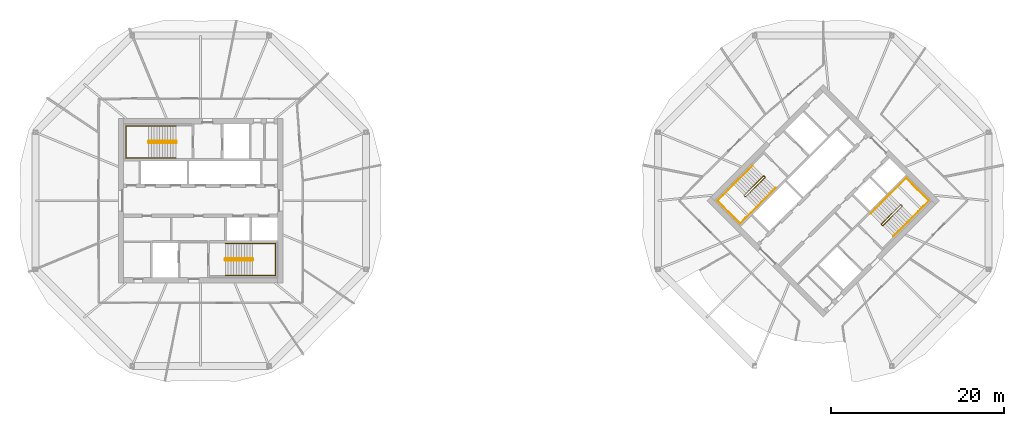
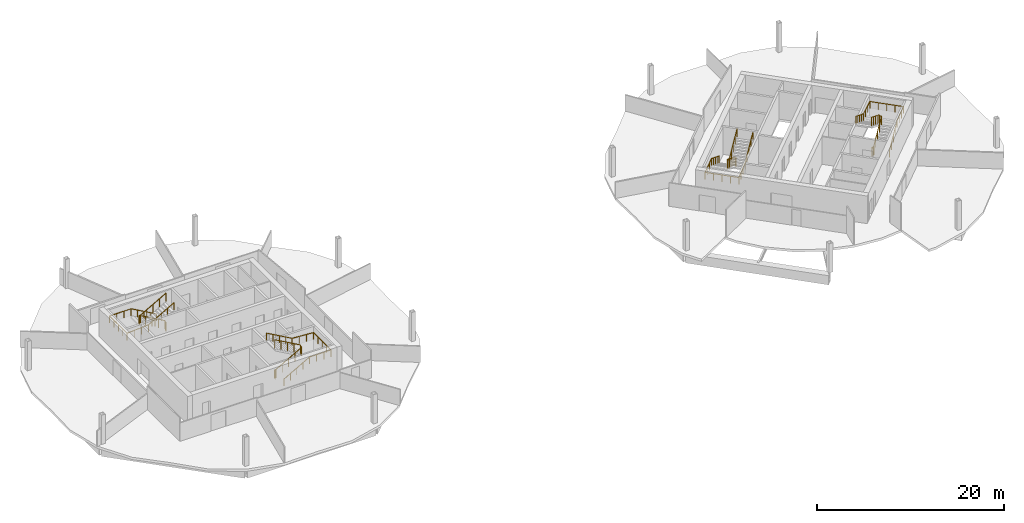
# One storey, part 10 of 10: 8 railings.
"""IFC4 building model written with IfcOpenShell, lengths in metres."""

from ifc_helpers import new_model, si_unit, direction, frame, origin, origin_2d, place, context, subcontext, project, spatial, circle, extrude, material, type_object, element, save


model = new_model("IFC4")

# Units and contexts
model_context = context("Model", 3, precision=1e-05, world=origin(), true_north=direction((0.0, 1.0)))
body_context = subcontext(model_context, "Body", "Model", "MODEL_VIEW")
ifc_project = project(units=[si_unit("LENGTHUNIT", "METRE"), si_unit("AREAUNIT", "SQUARE_METRE"), si_unit("VOLUMEUNIT", "CUBIC_METRE"), si_unit("PLANEANGLEUNIT", "RADIAN"), si_unit("MASSUNIT", "GRAM", prefix="KILO")], contexts=[model_context])

# Site, building, storey
site_placement = place(None, origin())
site = spatial("IfcSite", under=ifc_project, at=site_placement, CompositionType="ELEMENT")
building_placement = place(site_placement, origin())
building = spatial("IfcBuilding", under=site, at=building_placement, Name="Ogive Gate Towers", CompositionType="ELEMENT")
storey_placement = place(building_placement, frame((0.0, 0.0, 212.39990234375)))
storey = spatial("IfcBuildingStorey", under=building, at=storey_placement, Name="L51", CompositionType="ELEMENT", Elevation=212.39990234375)

# Railings
ifc_material = material(Name="Stainless steel", Category="steel")
railing_type_1 = type_object("IfcRailingType", Name="Stair guard 1100", PredefinedType="GUARDRAIL", material=ifc_material)
railing_1_placement = place(storey_placement, frame((-38.81494140625, 6.860107421875, 0.0)))
element("IfcRailing", 1, at=railing_1_placement, inside=storey, type_object=railing_type_1, Name="L51 ST1 stair guard 1", PredefinedType="GUARDRAIL", context=body_context, shape_type="SweptSolid", body=[
    extrude(circle(Radius=0.02392578125, at=origin_2d()), frame((0.0, 0.0, 1.076171875), z_axis=(0.0, -1.0, 0.0), x_axis=(1.0, 0.0, 0.0)), (0.0, 0.0, 1.0), 0.14501953125),
    extrude(circle(Radius=0.02392578125, at=origin_2d()), frame((0.0, -0.14501953125, 1.076171875), z_axis=(-0.186567429962, 0.726247849316, 0.661631812598), x_axis=(-0.968551454522, -0.24881334358, 0.0)), (0.0, 0.0, 1.0), 0.268310546875),
    extrude(circle(Radius=0.02392578125, at=origin_2d()), frame((-0.050048828125, 0.0498046875, 1.25341796875), z_axis=(-0.870572935281, 0.0, 0.492039393094), x_axis=(0.0, -1.0, 0.0)), (0.0, 0.0, 1.0), 3.602783203125),
    extrude(circle(Radius=0.02392578125, at=origin_2d()), frame((-3.1865234375, 0.0498046875, 3.0263671875), z_axis=(-0.707106781187, -0.707106781187, 0.0), x_axis=(0.707106781187, -0.707106781187, 0.0)), (0.0, 0.0, 1.0), 0.0703125),
    extrude(circle(Radius=0.02392578125, at=origin_2d()), frame((-3.236328125, 0.0, 3.0263671875), z_axis=(0.0, -1.0, 0.0), x_axis=(1.0, 0.0, 0.0)), (0.0, 0.0, 1.0), 0.14501953125),
    extrude(circle(Radius=0.02392578125, at=origin_2d()), frame((-3.236328125, -0.14501953125, 3.0263671875), z_axis=(0.261041864531, -0.262321481514, 0.929001929653), x_axis=(0.708833529934, 0.705375805398, 0.0)), (0.0, 0.0, 1.0), 0.190673828125),
    extrude(circle(Radius=0.02392578125, at=origin_2d()), frame((-3.1865234375, -0.195068359375, 3.20361328125), z_axis=(0.870572935281, 0.0, 0.492039393094), x_axis=(0.0, 1.0, 0.0)), (0.0, 0.0, 1.0), 3.602783203125),
    extrude(circle(Radius=0.02099609375, at=origin_2d()), origin(), (0.0, 0.0, 1.0), 1.052001953125),
    extrude(circle(Radius=0.02099609375, at=origin_2d()), frame((0.0, -0.14501953125, 0.0)), (0.0, 0.0, 1.0), 1.052001953125),
    extrude(circle(Radius=0.02099609375, at=origin_2d()), frame((-0.050048828125, 0.0498046875, 0.177490234375)), (0.0, 0.0, 1.0), 1.052001953125),
    extrude(circle(Radius=0.02099609375, at=origin_2d()), frame((-0.834228515625, 0.0498046875, 0.62060546875)), (0.0, 0.0, 1.0), 1.052001953125),
    extrude(circle(Radius=0.02099609375, at=origin_2d()), frame((-1.6181640625, 0.0498046875, 1.06396484375)), (0.0, 0.0, 1.0), 1.052001953125),
    extrude(circle(Radius=0.02099609375, at=origin_2d()), frame((-2.40234375, 0.0498046875, 1.507080078125)), (0.0, 0.0, 1.0), 1.052001953125),
    extrude(circle(Radius=0.02099609375, at=origin_2d()), frame((-3.1865234375, 0.0498046875, 1.9501953125)), (0.0, 0.0, 1.0), 1.052001953125),
    extrude(circle(Radius=0.02099609375, at=origin_2d()), frame((-3.236328125, 0.0, 1.9501953125)), (0.0, 0.0, 1.0), 1.052001953125),
    extrude(circle(Radius=0.02099609375, at=origin_2d()), frame((-3.236328125, -0.14501953125, 1.9501953125)), (0.0, 0.0, 1.0), 1.052001953125),
    extrude(circle(Radius=0.02099609375, at=origin_2d()), frame((-3.1865234375, -0.195068359375, 2.12744140625)), (0.0, 0.0, 1.0), 1.052001953125),
    extrude(circle(Radius=0.02099609375, at=origin_2d()), frame((-2.40234375, -0.195068359375, 2.570556640625)), (0.0, 0.0, 1.0), 1.052001953125),
    extrude(circle(Radius=0.02099609375, at=origin_2d()), frame((-1.6181640625, -0.195068359375, 3.013671875)), (0.0, 0.0, 1.0), 1.052001953125),
    extrude(circle(Radius=0.02099609375, at=origin_2d()), frame((-0.834228515625, -0.195068359375, 3.45703125)), (0.0, 0.0, 1.0), 1.052001953125),
    extrude(circle(Radius=0.02099609375, at=origin_2d()), frame((-0.050048828125, -0.195068359375, 3.900146484375)), (0.0, 0.0, 1.0), 1.052001953125),
])
railing_2_placement = place(storey_placement, frame((-33.18505859375, -6.860107421875, 0.0)))
element("IfcRailing", 2, at=railing_2_placement, inside=storey, type_object=railing_type_1, Name="L51 ST2 stair guard 1", PredefinedType="GUARDRAIL", context=body_context, shape_type="SweptSolid", body=[
    extrude(circle(Radius=0.02392578125, at=origin_2d()), frame((0.0, 0.0, 1.076171875), z_axis=(0.0, 1.0, 0.0), x_axis=(-1.0, 0.0, 0.0)), (0.0, 0.0, 1.0), 0.14501953125),
    extrude(circle(Radius=0.02392578125, at=origin_2d()), frame((0.0, 0.14501953125, 1.076171875), z_axis=(0.186567429962, -0.726247849316, 0.661631812598), x_axis=(0.968551454522, 0.24881334358, 0.0)), (0.0, 0.0, 1.0), 0.268310546875),
    extrude(circle(Radius=0.02392578125, at=origin_2d()), frame((0.050048828125, -0.0498046875, 1.25341796875), z_axis=(0.870572935281, 0.0, 0.492039393094), x_axis=(0.0, 1.0, 0.0)), (0.0, 0.0, 1.0), 3.602783203125),
    extrude(circle(Radius=0.02392578125, at=origin_2d()), frame((3.1865234375, -0.0498046875, 3.0263671875), z_axis=(0.707106781187, 0.707106781187, 0.0), x_axis=(-0.707106781187, 0.707106781187, 0.0)), (0.0, 0.0, 1.0), 0.0703125),
    extrude(circle(Radius=0.02392578125, at=origin_2d()), frame((3.236328125, 0.0, 3.0263671875), z_axis=(0.0, 1.0, 0.0), x_axis=(-1.0, 0.0, 0.0)), (0.0, 0.0, 1.0), 0.14501953125),
    extrude(circle(Radius=0.02392578125, at=origin_2d()), frame((3.236328125, 0.14501953125, 3.0263671875), z_axis=(-0.261041864531, 0.262321481514, 0.929001929653), x_axis=(-0.708833529934, -0.705375805398, 0.0)), (0.0, 0.0, 1.0), 0.190673828125),
    extrude(circle(Radius=0.02392578125, at=origin_2d()), frame((3.1865234375, 0.195068359375, 3.20361328125), z_axis=(-0.870572935281, 0.0, 0.492039393094), x_axis=(0.0, -1.0, 0.0)), (0.0, 0.0, 1.0), 3.602783203125),
    extrude(circle(Radius=0.02099609375, at=origin_2d()), origin(), (0.0, 0.0, 1.0), 1.052001953125),
    extrude(circle(Radius=0.02099609375, at=origin_2d()), frame((0.0, 0.14501953125, 0.0)), (0.0, 0.0, 1.0), 1.052001953125),
    extrude(circle(Radius=0.02099609375, at=origin_2d()), frame((0.050048828125, -0.0498046875, 0.177490234375)), (0.0, 0.0, 1.0), 1.052001953125),
    extrude(circle(Radius=0.02099609375, at=origin_2d()), frame((0.834228515625, -0.0498046875, 0.62060546875)), (0.0, 0.0, 1.0), 1.052001953125),
    extrude(circle(Radius=0.02099609375, at=origin_2d()), frame((1.6181640625, -0.0498046875, 1.06396484375)), (0.0, 0.0, 1.0), 1.052001953125),
    extrude(circle(Radius=0.02099609375, at=origin_2d()), frame((2.40234375, -0.0498046875, 1.507080078125)), (0.0, 0.0, 1.0), 1.052001953125),
    extrude(circle(Radius=0.02099609375, at=origin_2d()), frame((3.1865234375, -0.0498046875, 1.9501953125)), (0.0, 0.0, 1.0), 1.052001953125),
    extrude(circle(Radius=0.02099609375, at=origin_2d()), frame((3.236328125, 0.0, 1.9501953125)), (0.0, 0.0, 1.0), 1.052001953125),
    extrude(circle(Radius=0.02099609375, at=origin_2d()), frame((3.236328125, 0.14501953125, 1.9501953125)), (0.0, 0.0, 1.0), 1.052001953125),
    extrude(circle(Radius=0.02099609375, at=origin_2d()), frame((3.1865234375, 0.195068359375, 2.12744140625)), (0.0, 0.0, 1.0), 1.052001953125),
    extrude(circle(Radius=0.02099609375, at=origin_2d()), frame((2.40234375, 0.195068359375, 2.570556640625)), (0.0, 0.0, 1.0), 1.052001953125),
    extrude(circle(Radius=0.02099609375, at=origin_2d()), frame((1.6181640625, 0.195068359375, 3.013671875)), (0.0, 0.0, 1.0), 1.052001953125),
    extrude(circle(Radius=0.02099609375, at=origin_2d()), frame((0.834228515625, 0.195068359375, 3.45703125)), (0.0, 0.0, 1.0), 1.052001953125),
    extrude(circle(Radius=0.02099609375, at=origin_2d()), frame((0.050048828125, 0.195068359375, 3.900146484375)), (0.0, 0.0, 1.0), 1.052001953125),
])
railing_3_placement = place(storey_placement, frame((29.15869140625, 2.8603515625, 0.0)))
element("IfcRailing", 3, at=railing_3_placement, inside=storey, type_object=railing_type_1, Name="L51 ST1 stair guard 1", PredefinedType="GUARDRAIL", context=body_context, shape_type="SweptSolid", body=[
    extrude(circle(Radius=0.02392578125, at=origin_2d()), frame((0.0, 0.0, 1.076171875), z_axis=(0.707106781187, -0.707106781187, 0.0), x_axis=(0.707106781187, 0.707106781187, 0.0)), (0.0, 0.0, 1.0), 0.14501953125),
    extrude(circle(Radius=0.02392578125, at=origin_2d()), frame((0.1025390625, -0.1025390625, 1.076171875), z_axis=(-0.645182954318, 0.382195826253, 0.661562775443), x_axis=(-0.509669330572, -0.860370369942, 0.0)), (0.0, 0.0, 1.0), 0.268310546875),
    extrude(circle(Radius=0.02392578125, at=origin_2d()), frame((-0.070556640625, 0.0, 1.25341796875), z_axis=(-0.61558473135, -0.61558473135, 0.49204763698), x_axis=(0.707106781187, -0.707106781187, 0.0)), (0.0, 0.0, 1.0), 3.602783203125),
    extrude(circle(Radius=0.02392578125, at=origin_2d()), frame((-2.288330078125, -2.2177734375, 3.0263671875), z_axis=(0.0, -1.0, 0.0), x_axis=(1.0, 0.0, 0.0)), (0.0, 0.0, 1.0), 0.07080078125),
    extrude(circle(Radius=0.02392578125, at=origin_2d()), frame((-2.288330078125, -2.28857421875, 3.0263671875), z_axis=(0.707106781187, -0.707106781187, 0.0), x_axis=(0.707106781187, 0.707106781187, 0.0)), (0.0, 0.0, 1.0), 0.14501953125),
    extrude(circle(Radius=0.02392578125, at=origin_2d()), frame((-2.185791015625, -2.39111328125, 3.0263671875), z_axis=(0.369845645421, 0.0, 0.929093213065), x_axis=(0.0, 1.0, 0.0)), (0.0, 0.0, 1.0), 0.190673828125),
    extrude(circle(Radius=0.02392578125, at=origin_2d()), frame((-2.115234375, -2.39111328125, 3.20361328125), z_axis=(0.61558473135, 0.61558473135, 0.49204763698), x_axis=(-0.707106781187, 0.707106781187, 0.0)), (0.0, 0.0, 1.0), 3.602783203125),
    extrude(circle(Radius=0.02099609375, at=origin_2d()), origin(), (0.0, 0.0, 1.0), 1.052001953125),
    extrude(circle(Radius=0.02099609375, at=origin_2d()), frame((0.1025390625, -0.1025390625, 0.0)), (0.0, 0.0, 1.0), 1.052001953125),
    extrude(circle(Radius=0.02099609375, at=origin_2d()), frame((-0.070556640625, 0.0, 0.177490234375)), (0.0, 0.0, 1.0), 1.052001953125),
    extrude(circle(Radius=0.02099609375, at=origin_2d()), frame((-0.625, -0.554443359375, 0.62060546875)), (0.0, 0.0, 1.0), 1.052001953125),
    extrude(circle(Radius=0.02099609375, at=origin_2d()), frame((-1.179443359375, -1.10888671875, 1.06396484375)), (0.0, 0.0, 1.0), 1.052001953125),
    extrude(circle(Radius=0.02099609375, at=origin_2d()), frame((-1.73388671875, -1.663330078125, 1.507080078125)), (0.0, 0.0, 1.0), 1.052001953125),
    extrude(circle(Radius=0.02099609375, at=origin_2d()), frame((-2.288330078125, -2.2177734375, 1.9501953125)), (0.0, 0.0, 1.0), 1.052001953125),
    extrude(circle(Radius=0.02099609375, at=origin_2d()), frame((-2.288330078125, -2.28857421875, 1.9501953125)), (0.0, 0.0, 1.0), 1.052001953125),
    extrude(circle(Radius=0.02099609375, at=origin_2d()), frame((-2.185791015625, -2.39111328125, 1.9501953125)), (0.0, 0.0, 1.0), 1.052001953125),
    extrude(circle(Radius=0.02099609375, at=origin_2d()), frame((-2.115234375, -2.39111328125, 2.12744140625)), (0.0, 0.0, 1.0), 1.052001953125),
    extrude(circle(Radius=0.02099609375, at=origin_2d()), frame((-1.560791015625, -1.836669921875, 2.570556640625)), (0.0, 0.0, 1.0), 1.052001953125),
    extrude(circle(Radius=0.02099609375, at=origin_2d()), frame((-1.00634765625, -1.2822265625, 3.013671875)), (0.0, 0.0, 1.0), 1.052001953125),
    extrude(circle(Radius=0.02099609375, at=origin_2d()), frame((-0.451904296875, -0.727783203125, 3.45703125)), (0.0, 0.0, 1.0), 1.052001953125),
    extrude(circle(Radius=0.02099609375, at=origin_2d()), frame((0.1025390625, -0.17333984375, 3.900146484375)), (0.0, 0.0, 1.0), 1.052001953125),
])
railing_4_placement = place(storey_placement, frame((42.84130859375, -2.8603515625, 0.0)))
element("IfcRailing", 4, at=railing_4_placement, inside=storey, type_object=railing_type_1, Name="L51 ST2 stair guard 1", PredefinedType="GUARDRAIL", context=body_context, shape_type="SweptSolid", body=[
    extrude(circle(Radius=0.02392578125, at=origin_2d()), frame((0.0, 0.0, 1.076171875), z_axis=(-0.707106781187, 0.707106781187, 0.0), x_axis=(-0.707106781187, -0.707106781187, 0.0)), (0.0, 0.0, 1.0), 0.14501953125),
    extrude(circle(Radius=0.02392578125, at=origin_2d()), frame((-0.1025390625, 0.1025390625, 1.076171875), z_axis=(0.645182954318, -0.382195826253, 0.661562775443), x_axis=(0.509669330572, 0.860370369942, 0.0)), (0.0, 0.0, 1.0), 0.268310546875),
    extrude(circle(Radius=0.02392578125, at=origin_2d()), frame((0.070556640625, 0.0, 1.25341796875), z_axis=(0.61558473135, 0.61558473135, 0.49204763698), x_axis=(-0.707106781187, 0.707106781187, 0.0)), (0.0, 0.0, 1.0), 3.602783203125),
    extrude(circle(Radius=0.02392578125, at=origin_2d()), frame((2.288330078125, 2.2177734375, 3.0263671875), z_axis=(0.0, 1.0, 0.0), x_axis=(-1.0, 0.0, 0.0)), (0.0, 0.0, 1.0), 0.07080078125),
    extrude(circle(Radius=0.02392578125, at=origin_2d()), frame((2.288330078125, 2.28857421875, 3.0263671875), z_axis=(-0.707106781187, 0.707106781187, 0.0), x_axis=(-0.707106781187, -0.707106781187, 0.0)), (0.0, 0.0, 1.0), 0.14501953125),
    extrude(circle(Radius=0.02392578125, at=origin_2d()), frame((2.185791015625, 2.39111328125, 3.0263671875), z_axis=(-0.369845645421, 0.0, 0.929093213065), x_axis=(0.0, -1.0, 0.0)), (0.0, 0.0, 1.0), 0.190673828125),
    extrude(circle(Radius=0.02392578125, at=origin_2d()), frame((2.115234375, 2.39111328125, 3.20361328125), z_axis=(-0.61558473135, -0.61558473135, 0.49204763698), x_axis=(0.707106781187, -0.707106781187, 0.0)), (0.0, 0.0, 1.0), 3.602783203125),
    extrude(circle(Radius=0.02099609375, at=origin_2d()), origin(), (0.0, 0.0, 1.0), 1.052001953125),
    extrude(circle(Radius=0.02099609375, at=origin_2d()), frame((-0.1025390625, 0.1025390625, 0.0)), (0.0, 0.0, 1.0), 1.052001953125),
    extrude(circle(Radius=0.02099609375, at=origin_2d()), frame((0.070556640625, 0.0, 0.177490234375)), (0.0, 0.0, 1.0), 1.052001953125),
    extrude(circle(Radius=0.02099609375, at=origin_2d()), frame((0.625, 0.554443359375, 0.62060546875)), (0.0, 0.0, 1.0), 1.052001953125),
    extrude(circle(Radius=0.02099609375, at=origin_2d()), frame((1.179443359375, 1.10888671875, 1.06396484375)), (0.0, 0.0, 1.0), 1.052001953125),
    extrude(circle(Radius=0.02099609375, at=origin_2d()), frame((1.73388671875, 1.663330078125, 1.507080078125)), (0.0, 0.0, 1.0), 1.052001953125),
    extrude(circle(Radius=0.02099609375, at=origin_2d()), frame((2.288330078125, 2.2177734375, 1.9501953125)), (0.0, 0.0, 1.0), 1.052001953125),
    extrude(circle(Radius=0.02099609375, at=origin_2d()), frame((2.288330078125, 2.28857421875, 1.9501953125)), (0.0, 0.0, 1.0), 1.052001953125),
    extrude(circle(Radius=0.02099609375, at=origin_2d()), frame((2.185791015625, 2.39111328125, 1.9501953125)), (0.0, 0.0, 1.0), 1.052001953125),
    extrude(circle(Radius=0.02099609375, at=origin_2d()), frame((2.115234375, 2.39111328125, 2.12744140625)), (0.0, 0.0, 1.0), 1.052001953125),
    extrude(circle(Radius=0.02099609375, at=origin_2d()), frame((1.560791015625, 1.836669921875, 2.570556640625)), (0.0, 0.0, 1.0), 1.052001953125),
    extrude(circle(Radius=0.02099609375, at=origin_2d()), frame((1.00634765625, 1.2822265625, 3.013671875)), (0.0, 0.0, 1.0), 1.052001953125),
    extrude(circle(Radius=0.02099609375, at=origin_2d()), frame((0.451904296875, 0.727783203125, 3.45703125)), (0.0, 0.0, 1.0), 1.052001953125),
    extrude(circle(Radius=0.02099609375, at=origin_2d()), frame((-0.1025390625, 0.17333984375, 3.900146484375)), (0.0, 0.0, 1.0), 1.052001953125),
])
railing_type_2 = type_object("IfcRailingType", Name="Stair handrail 900", PredefinedType="HANDRAIL", material=ifc_material)
railing_5_placement = place(storey_placement, frame((-38.864990234375, 8.64990234375, 0.177490234375)))
element("IfcRailing", 5, at=railing_5_placement, inside=storey, type_object=railing_type_2, Name="L51 ST1 stair handrail 1", PredefinedType="HANDRAIL", context=body_context, shape_type="SweptSolid", body=[
    extrude(circle(Radius=0.02392578125, at=origin_2d()), frame((0.0, 0.0, 0.8759765625), z_axis=(-0.870572935281, 0.0, 0.492039393094), x_axis=(0.0, -1.0, 0.0)), (0.0, 0.0, 1.0), 3.602783203125),
    extrude(circle(Radius=0.02392578125, at=origin_2d()), frame((-3.136474609375, 0.0, 2.6484375), z_axis=(-1.0, 0.0, 0.0), x_axis=(0.0, -1.0, 0.0)), (0.0, 0.0, 1.0), 2.6484375),
    extrude(circle(Radius=0.02392578125, at=origin_2d()), frame((-5.784912109375, 0.0, 2.6484375), z_axis=(0.0, -1.0, 0.0), x_axis=(1.0, 0.0, 0.0)), (0.0, 0.0, 1.0), 3.724853515625),
    extrude(circle(Radius=0.02392578125, at=origin_2d()), frame((-5.784912109375, -3.724853515625, 2.6484375), z_axis=(0.997768031817, 0.0, 0.066775404784), x_axis=(0.0, 1.0, 0.0)), (0.0, 0.0, 1.0), 2.654296875),
    extrude(circle(Radius=0.02392578125, at=origin_2d()), frame((-3.136474609375, -3.724853515625, 2.82568359375), z_axis=(0.870572935281, 0.0, 0.492039393094), x_axis=(0.0, 1.0, 0.0)), (0.0, 0.0, 1.0), 3.602783203125),
    extrude(circle(Radius=0.02099609375, at=origin_2d()), origin(), (0.0, 0.0, 1.0), 0.851806640625),
    extrude(circle(Radius=0.02099609375, at=origin_2d()), frame((-0.7841796875, 0.0, 0.443115234375)), (0.0, 0.0, 1.0), 0.851806640625),
    extrude(circle(Radius=0.02099609375, at=origin_2d()), frame((-1.568359375, 0.0, 0.88623046875)), (0.0, 0.0, 1.0), 0.851806640625),
    extrude(circle(Radius=0.02099609375, at=origin_2d()), frame((-2.352294921875, 0.0, 1.32958984375)), (0.0, 0.0, 1.0), 0.851806640625),
    extrude(circle(Radius=0.02099609375, at=origin_2d()), frame((-3.136474609375, 0.0, 1.772705078125)), (0.0, 0.0, 1.0), 0.851806640625),
    extrude(circle(Radius=0.02099609375, at=origin_2d()), frame((-4.019287109375, 0.0, 1.772705078125)), (0.0, 0.0, 1.0), 0.851806640625),
    extrude(circle(Radius=0.02099609375, at=origin_2d()), frame((-4.902099609375, 0.0, 1.772705078125)), (0.0, 0.0, 1.0), 0.851806640625),
    extrude(circle(Radius=0.02099609375, at=origin_2d()), frame((-5.784912109375, 0.0, 1.772705078125)), (0.0, 0.0, 1.0), 0.851806640625),
    extrude(circle(Radius=0.02099609375, at=origin_2d()), frame((-5.784912109375, -0.93115234375, 1.772705078125)), (0.0, 0.0, 1.0), 0.851806640625),
    extrude(circle(Radius=0.02099609375, at=origin_2d()), frame((-5.784912109375, -1.8623046875, 1.772705078125)), (0.0, 0.0, 1.0), 0.851806640625),
    extrude(circle(Radius=0.02099609375, at=origin_2d()), frame((-5.784912109375, -2.793701171875, 1.772705078125)), (0.0, 0.0, 1.0), 0.851806640625),
    extrude(circle(Radius=0.02099609375, at=origin_2d()), frame((-5.784912109375, -3.724853515625, 1.772705078125)), (0.0, 0.0, 1.0), 0.851806640625),
    extrude(circle(Radius=0.02099609375, at=origin_2d()), frame((-4.902099609375, -3.724853515625, 1.831787109375)), (0.0, 0.0, 1.0), 0.851806640625),
    extrude(circle(Radius=0.02099609375, at=origin_2d()), frame((-4.019287109375, -3.724853515625, 1.890869140625)), (0.0, 0.0, 1.0), 0.851806640625),
    extrude(circle(Radius=0.02099609375, at=origin_2d()), frame((-3.136474609375, -3.724853515625, 1.949951171875)), (0.0, 0.0, 1.0), 0.851806640625),
    extrude(circle(Radius=0.02099609375, at=origin_2d()), frame((-2.352294921875, -3.724853515625, 2.39306640625)), (0.0, 0.0, 1.0), 0.851806640625),
    extrude(circle(Radius=0.02099609375, at=origin_2d()), frame((-1.568359375, -3.724853515625, 2.83642578125)), (0.0, 0.0, 1.0), 0.851806640625),
    extrude(circle(Radius=0.02099609375, at=origin_2d()), frame((-0.7841796875, -3.724853515625, 3.279541015625)), (0.0, 0.0, 1.0), 0.851806640625),
    extrude(circle(Radius=0.02099609375, at=origin_2d()), frame((0.0, -3.724853515625, 3.72265625)), (0.0, 0.0, 1.0), 0.851806640625),
])
railing_6_placement = place(storey_placement, frame((-33.135009765625, -8.64990234375, 0.177490234375)))
element("IfcRailing", 6, at=railing_6_placement, inside=storey, type_object=railing_type_2, Name="L51 ST2 stair handrail 1", PredefinedType="HANDRAIL", context=body_context, shape_type="SweptSolid", body=[
    extrude(circle(Radius=0.02392578125, at=origin_2d()), frame((0.0, 0.0, 0.8759765625), z_axis=(0.870572935281, 0.0, 0.492039393094), x_axis=(0.0, 1.0, 0.0)), (0.0, 0.0, 1.0), 3.602783203125),
    extrude(circle(Radius=0.02392578125, at=origin_2d()), frame((3.136474609375, 0.0, 2.6484375), z_axis=(1.0, 0.0, 0.0), x_axis=(0.0, 1.0, 0.0)), (0.0, 0.0, 1.0), 2.6484375),
    extrude(circle(Radius=0.02392578125, at=origin_2d()), frame((5.784912109375, 0.0, 2.6484375), z_axis=(0.0, 1.0, 0.0), x_axis=(-1.0, 0.0, 0.0)), (0.0, 0.0, 1.0), 3.724853515625),
    extrude(circle(Radius=0.02392578125, at=origin_2d()), frame((5.784912109375, 3.724853515625, 2.6484375), z_axis=(-0.997768031817, 0.0, 0.066775404784), x_axis=(0.0, -1.0, 0.0)), (0.0, 0.0, 1.0), 2.654296875),
    extrude(circle(Radius=0.02392578125, at=origin_2d()), frame((3.136474609375, 3.724853515625, 2.82568359375), z_axis=(-0.870572935281, 0.0, 0.492039393094), x_axis=(0.0, -1.0, 0.0)), (0.0, 0.0, 1.0), 3.602783203125),
    extrude(circle(Radius=0.02099609375, at=origin_2d()), origin(), (0.0, 0.0, 1.0), 0.851806640625),
    extrude(circle(Radius=0.02099609375, at=origin_2d()), frame((0.7841796875, 0.0, 0.443115234375)), (0.0, 0.0, 1.0), 0.851806640625),
    extrude(circle(Radius=0.02099609375, at=origin_2d()), frame((1.568359375, 0.0, 0.88623046875)), (0.0, 0.0, 1.0), 0.851806640625),
    extrude(circle(Radius=0.02099609375, at=origin_2d()), frame((2.352294921875, 0.0, 1.32958984375)), (0.0, 0.0, 1.0), 0.851806640625),
    extrude(circle(Radius=0.02099609375, at=origin_2d()), frame((3.136474609375, 0.0, 1.772705078125)), (0.0, 0.0, 1.0), 0.851806640625),
    extrude(circle(Radius=0.02099609375, at=origin_2d()), frame((4.019287109375, 0.0, 1.772705078125)), (0.0, 0.0, 1.0), 0.851806640625),
    extrude(circle(Radius=0.02099609375, at=origin_2d()), frame((4.902099609375, 0.0, 1.772705078125)), (0.0, 0.0, 1.0), 0.851806640625),
    extrude(circle(Radius=0.02099609375, at=origin_2d()), frame((5.784912109375, 0.0, 1.772705078125)), (0.0, 0.0, 1.0), 0.851806640625),
    extrude(circle(Radius=0.02099609375, at=origin_2d()), frame((5.784912109375, 0.93115234375, 1.772705078125)), (0.0, 0.0, 1.0), 0.851806640625),
    extrude(circle(Radius=0.02099609375, at=origin_2d()), frame((5.784912109375, 1.8623046875, 1.772705078125)), (0.0, 0.0, 1.0), 0.851806640625),
    extrude(circle(Radius=0.02099609375, at=origin_2d()), frame((5.784912109375, 2.793701171875, 1.772705078125)), (0.0, 0.0, 1.0), 0.851806640625),
    extrude(circle(Radius=0.02099609375, at=origin_2d()), frame((5.784912109375, 3.724853515625, 1.772705078125)), (0.0, 0.0, 1.0), 0.851806640625),
    extrude(circle(Radius=0.02099609375, at=origin_2d()), frame((4.902099609375, 3.724853515625, 1.831787109375)), (0.0, 0.0, 1.0), 0.851806640625),
    extrude(circle(Radius=0.02099609375, at=origin_2d()), frame((4.019287109375, 3.724853515625, 1.890869140625)), (0.0, 0.0, 1.0), 0.851806640625),
    extrude(circle(Radius=0.02099609375, at=origin_2d()), frame((3.136474609375, 3.724853515625, 1.949951171875)), (0.0, 0.0, 1.0), 0.851806640625),
    extrude(circle(Radius=0.02099609375, at=origin_2d()), frame((2.352294921875, 3.724853515625, 2.39306640625)), (0.0, 0.0, 1.0), 0.851806640625),
    extrude(circle(Radius=0.02099609375, at=origin_2d()), frame((1.568359375, 3.724853515625, 2.83642578125)), (0.0, 0.0, 1.0), 0.851806640625),
    extrude(circle(Radius=0.02099609375, at=origin_2d()), frame((0.7841796875, 3.724853515625, 3.279541015625)), (0.0, 0.0, 1.0), 0.851806640625),
    extrude(circle(Radius=0.02099609375, at=origin_2d()), frame((0.0, 3.724853515625, 3.72265625)), (0.0, 0.0, 1.0), 0.851806640625),
])
railing_7_placement = place(storey_placement, frame((27.857666015625, 4.090576171875, 0.177490234375)))
element("IfcRailing", 7, at=railing_7_placement, inside=storey, type_object=railing_type_2, Name="L51 ST1 stair handrail 1", PredefinedType="HANDRAIL", context=body_context, shape_type="SweptSolid", body=[
    extrude(circle(Radius=0.02392578125, at=origin_2d()), frame((0.0, 0.0, 0.8759765625), z_axis=(-0.61558473135, -0.61558473135, 0.49204763698), x_axis=(0.707106781187, -0.707106781187, 0.0)), (0.0, 0.0, 1.0), 3.602783203125),
    extrude(circle(Radius=0.02392578125, at=origin_2d()), frame((-2.2177734375, -2.2177734375, 2.6484375), z_axis=(-0.707106781187, -0.707106781187, 0.0), x_axis=(0.707106781187, -0.707106781187, 0.0)), (0.0, 0.0, 1.0), 2.6484375),
    extrude(circle(Radius=0.02392578125, at=origin_2d()), frame((-4.090576171875, -4.090576171875, 2.6484375), z_axis=(0.707106781187, -0.707106781187, 0.0), x_axis=(0.707106781187, 0.707106781187, 0.0)), (0.0, 0.0, 1.0), 3.72509765625),
    extrude(circle(Radius=0.02392578125, at=origin_2d()), frame((-1.45654296875, -6.724609375, 2.6484375), z_axis=(0.705482886452, 0.705574853978, 0.066768423356), x_axis=(-0.70715286629, 0.70706069308, 0.0)), (0.0, 0.0, 1.0), 2.654541015625),
    extrude(circle(Radius=0.02392578125, at=origin_2d()), frame((0.416259765625, -4.8515625, 2.82568359375), z_axis=(0.615610411033, 0.615542642384, 0.4920681632), x_axis=(-0.70706785752, 0.70714570271, 0.0)), (0.0, 0.0, 1.0), 3.6025390625),
    extrude(circle(Radius=0.02099609375, at=origin_2d()), origin(), (0.0, 0.0, 1.0), 0.851806640625),
    extrude(circle(Radius=0.02099609375, at=origin_2d()), frame((-0.554443359375, -0.554443359375, 0.443115234375)), (0.0, 0.0, 1.0), 0.851806640625),
    extrude(circle(Radius=0.02099609375, at=origin_2d()), frame((-1.10888671875, -1.10888671875, 0.88623046875)), (0.0, 0.0, 1.0), 0.851806640625),
    extrude(circle(Radius=0.02099609375, at=origin_2d()), frame((-1.663330078125, -1.663330078125, 1.32958984375)), (0.0, 0.0, 1.0), 0.851806640625),
    extrude(circle(Radius=0.02099609375, at=origin_2d()), frame((-2.2177734375, -2.2177734375, 1.772705078125)), (0.0, 0.0, 1.0), 0.851806640625),
    extrude(circle(Radius=0.02099609375, at=origin_2d()), frame((-2.842041015625, -2.842041015625, 1.772705078125)), (0.0, 0.0, 1.0), 0.851806640625),
    extrude(circle(Radius=0.02099609375, at=origin_2d()), frame((-3.46630859375, -3.46630859375, 1.772705078125)), (0.0, 0.0, 1.0), 0.851806640625),
    extrude(circle(Radius=0.02099609375, at=origin_2d()), frame((-4.090576171875, -4.090576171875, 1.772705078125)), (0.0, 0.0, 1.0), 0.851806640625),
    extrude(circle(Radius=0.02099609375, at=origin_2d()), frame((-3.43212890625, -4.7490234375, 1.772705078125)), (0.0, 0.0, 1.0), 0.851806640625),
    extrude(circle(Radius=0.02099609375, at=origin_2d()), frame((-2.7734375, -5.40771484375, 1.772705078125)), (0.0, 0.0, 1.0), 0.851806640625),
    extrude(circle(Radius=0.02099609375, at=origin_2d()), frame((-2.114990234375, -6.066162109375, 1.772705078125)), (0.0, 0.0, 1.0), 0.851806640625),
    extrude(circle(Radius=0.02099609375, at=origin_2d()), frame((-1.45654296875, -6.724609375, 1.772705078125)), (0.0, 0.0, 1.0), 0.851806640625),
    extrude(circle(Radius=0.02099609375, at=origin_2d()), frame((-0.832275390625, -6.100341796875, 1.831787109375)), (0.0, 0.0, 1.0), 0.851806640625),
    extrude(circle(Radius=0.02099609375, at=origin_2d()), frame((-0.2080078125, -5.475830078125, 1.890869140625)), (0.0, 0.0, 1.0), 0.851806640625),
    extrude(circle(Radius=0.02099609375, at=origin_2d()), frame((0.416259765625, -4.8515625, 1.949951171875)), (0.0, 0.0, 1.0), 0.851806640625),
    extrude(circle(Radius=0.02099609375, at=origin_2d()), frame((0.970703125, -4.297119140625, 2.39306640625)), (0.0, 0.0, 1.0), 0.851806640625),
    extrude(circle(Radius=0.02099609375, at=origin_2d()), frame((1.525146484375, -3.74267578125, 2.83642578125)), (0.0, 0.0, 1.0), 0.851806640625),
    extrude(circle(Radius=0.02099609375, at=origin_2d()), frame((2.07958984375, -3.1884765625, 3.279541015625)), (0.0, 0.0, 1.0), 0.851806640625),
    extrude(circle(Radius=0.02099609375, at=origin_2d()), frame((2.634033203125, -2.634033203125, 3.72265625)), (0.0, 0.0, 1.0), 0.851806640625),
])
railing_8_placement = place(storey_placement, frame((44.142333984375, -4.090576171875, 0.177490234375)))
element("IfcRailing", 8, at=railing_8_placement, inside=storey, type_object=railing_type_2, Name="L51 ST2 stair handrail 1", PredefinedType="HANDRAIL", context=body_context, shape_type="SweptSolid", body=[
    extrude(circle(Radius=0.02392578125, at=origin_2d()), frame((0.0, 0.0, 0.8759765625), z_axis=(0.61558473135, 0.61558473135, 0.49204763698), x_axis=(-0.707106781187, 0.707106781187, 0.0)), (0.0, 0.0, 1.0), 3.602783203125),
    extrude(circle(Radius=0.02392578125, at=origin_2d()), frame((2.2177734375, 2.2177734375, 2.6484375), z_axis=(0.707106781187, 0.707106781187, 0.0), x_axis=(-0.707106781187, 0.707106781187, 0.0)), (0.0, 0.0, 1.0), 2.6484375),
    extrude(circle(Radius=0.02392578125, at=origin_2d()), frame((4.090576171875, 4.090576171875, 2.6484375), z_axis=(-0.707106781187, 0.707106781187, 0.0), x_axis=(-0.707106781187, -0.707106781187, 0.0)), (0.0, 0.0, 1.0), 3.72509765625),
    extrude(circle(Radius=0.02392578125, at=origin_2d()), frame((1.45654296875, 6.724609375, 2.6484375), z_axis=(-0.705482886452, -0.705574853978, 0.066768423356), x_axis=(0.70715286629, -0.70706069308, 0.0)), (0.0, 0.0, 1.0), 2.654541015625),
    extrude(circle(Radius=0.02392578125, at=origin_2d()), frame((-0.416259765625, 4.8515625, 2.82568359375), z_axis=(-0.615610411033, -0.615542642384, 0.4920681632), x_axis=(0.70706785752, -0.70714570271, 0.0)), (0.0, 0.0, 1.0), 3.6025390625),
    extrude(circle(Radius=0.02099609375, at=origin_2d()), origin(), (0.0, 0.0, 1.0), 0.851806640625),
    extrude(circle(Radius=0.02099609375, at=origin_2d()), frame((0.554443359375, 0.554443359375, 0.443115234375)), (0.0, 0.0, 1.0), 0.851806640625),
    extrude(circle(Radius=0.02099609375, at=origin_2d()), frame((1.10888671875, 1.10888671875, 0.88623046875)), (0.0, 0.0, 1.0), 0.851806640625),
    extrude(circle(Radius=0.02099609375, at=origin_2d()), frame((1.663330078125, 1.663330078125, 1.32958984375)), (0.0, 0.0, 1.0), 0.851806640625),
    extrude(circle(Radius=0.02099609375, at=origin_2d()), frame((2.2177734375, 2.2177734375, 1.772705078125)), (0.0, 0.0, 1.0), 0.851806640625),
    extrude(circle(Radius=0.02099609375, at=origin_2d()), frame((2.842041015625, 2.842041015625, 1.772705078125)), (0.0, 0.0, 1.0), 0.851806640625),
    extrude(circle(Radius=0.02099609375, at=origin_2d()), frame((3.46630859375, 3.46630859375, 1.772705078125)), (0.0, 0.0, 1.0), 0.851806640625),
    extrude(circle(Radius=0.02099609375, at=origin_2d()), frame((4.090576171875, 4.090576171875, 1.772705078125)), (0.0, 0.0, 1.0), 0.851806640625),
    extrude(circle(Radius=0.02099609375, at=origin_2d()), frame((3.43212890625, 4.7490234375, 1.772705078125)), (0.0, 0.0, 1.0), 0.851806640625),
    extrude(circle(Radius=0.02099609375, at=origin_2d()), frame((2.7734375, 5.40771484375, 1.772705078125)), (0.0, 0.0, 1.0), 0.851806640625),
    extrude(circle(Radius=0.02099609375, at=origin_2d()), frame((2.114990234375, 6.066162109375, 1.772705078125)), (0.0, 0.0, 1.0), 0.851806640625),
    extrude(circle(Radius=0.02099609375, at=origin_2d()), frame((1.45654296875, 6.724609375, 1.772705078125)), (0.0, 0.0, 1.0), 0.851806640625),
    extrude(circle(Radius=0.02099609375, at=origin_2d()), frame((0.832275390625, 6.100341796875, 1.831787109375)), (0.0, 0.0, 1.0), 0.851806640625),
    extrude(circle(Radius=0.02099609375, at=origin_2d()), frame((0.2080078125, 5.475830078125, 1.890869140625)), (0.0, 0.0, 1.0), 0.851806640625),
    extrude(circle(Radius=0.02099609375, at=origin_2d()), frame((-0.416259765625, 4.8515625, 1.949951171875)), (0.0, 0.0, 1.0), 0.851806640625),
    extrude(circle(Radius=0.02099609375, at=origin_2d()), frame((-0.970703125, 4.297119140625, 2.39306640625)), (0.0, 0.0, 1.0), 0.851806640625),
    extrude(circle(Radius=0.02099609375, at=origin_2d()), frame((-1.525146484375, 3.74267578125, 2.83642578125)), (0.0, 0.0, 1.0), 0.851806640625),
    extrude(circle(Radius=0.02099609375, at=origin_2d()), frame((-2.07958984375, 3.1884765625, 3.279541015625)), (0.0, 0.0, 1.0), 0.851806640625),
    extrude(circle(Radius=0.02099609375, at=origin_2d()), frame((-2.634033203125, 2.634033203125, 3.72265625)), (0.0, 0.0, 1.0), 0.851806640625),
])

save(model, "model.ifc")
